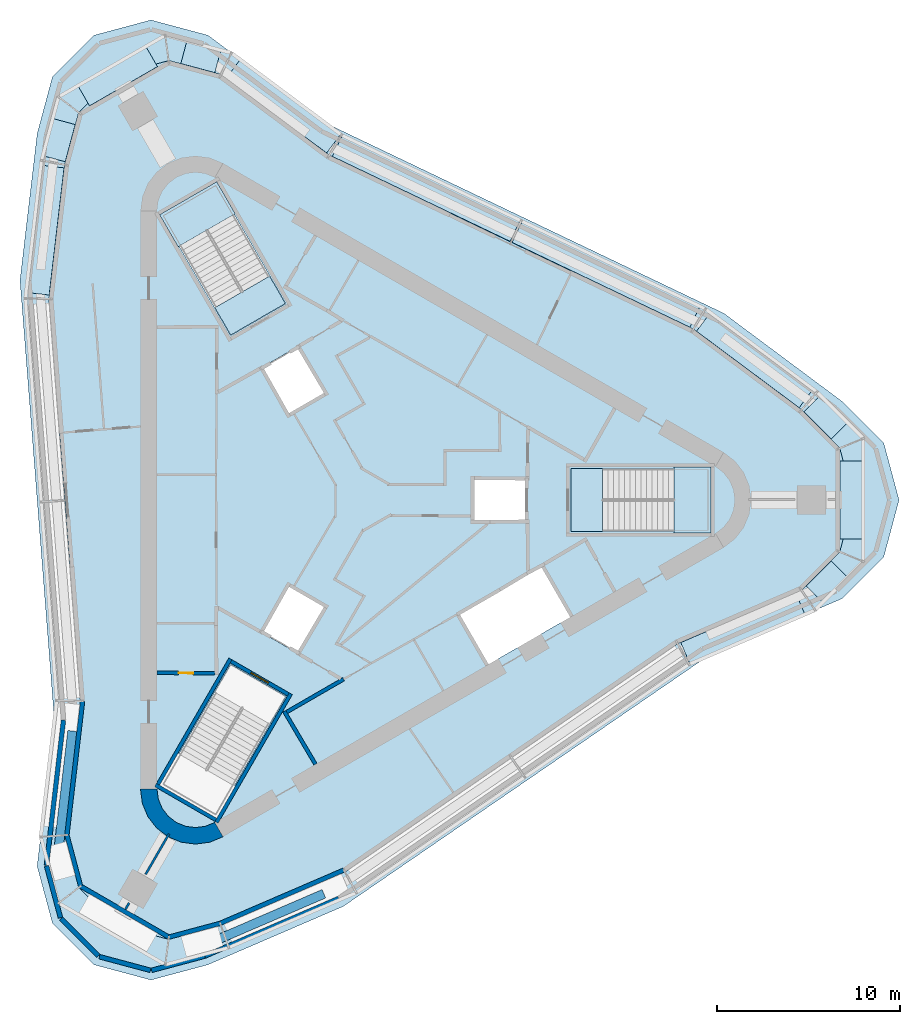
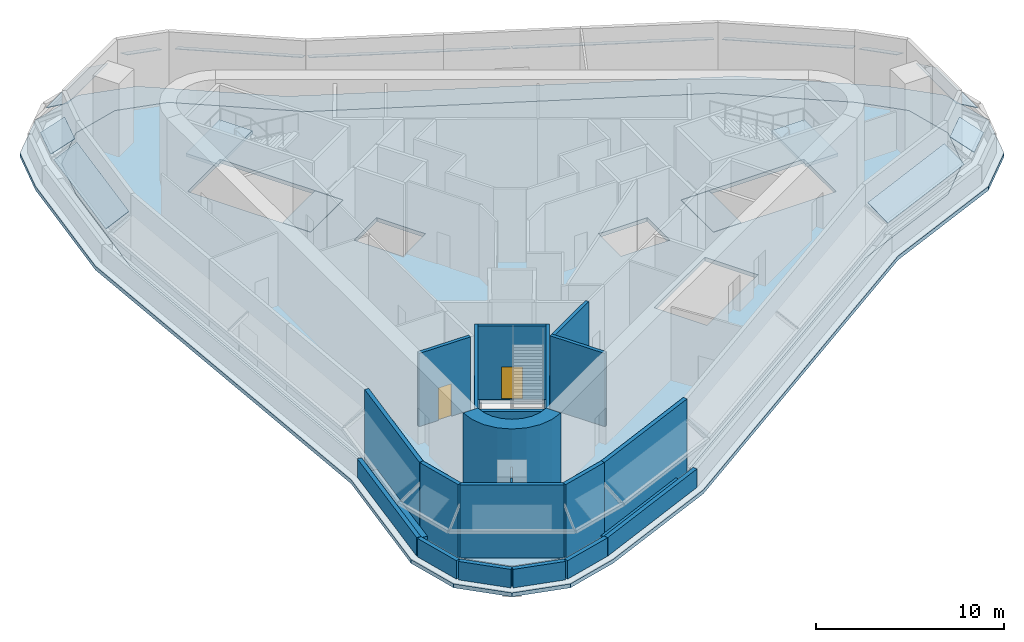
# One storey, part 2 of 7: 23 walls, 12 plates, 6 slabs, 2 doors, 2 openings, 3 elements without a shape of their own.
"""IFC4 building model written with IfcOpenShell, lengths in metres."""

from ifc_helpers import new_model, si_unit, direction, frame, frame_2d, origin, place, context, subcontext, project, spatial, polyline, rectangle, outline, extrude, material, layer, layer_set, type_object, element, fill, aggregate, save


model = new_model("IFC4")

# Units and contexts
model_context = context("Model", 3, precision=1e-05, world=origin(), true_north=direction((0.0, 1.0)))
body_context = subcontext(model_context, "Body", "Model", "MODEL_VIEW")
ifc_project = project(units=[si_unit("LENGTHUNIT", "METRE"), si_unit("AREAUNIT", "SQUARE_METRE"), si_unit("VOLUMEUNIT", "CUBIC_METRE"), si_unit("PLANEANGLEUNIT", "RADIAN"), si_unit("MASSUNIT", "GRAM", prefix="KILO")], contexts=[model_context])

# Site, building, storey
site_placement = place(None, origin())
site = spatial("IfcSite", under=ifc_project, at=site_placement, CompositionType="ELEMENT")
building_placement = place(site_placement, origin())
building = spatial("IfcBuilding", under=site, at=building_placement, Name="Tanit Gate Tower", CompositionType="ELEMENT")
storey_placement = place(building_placement, frame((0.0, 0.0, 420.300048828125)))
storey = spatial("IfcBuildingStorey", under=building, at=storey_placement, Name="L95", CompositionType="ELEMENT", Elevation=420.300048828125)

# Slab
ifc_material_1 = material(Name="Concrete C35/45", Category="concrete")
ifc_layer_1 = layer(ifc_material_1, 0.25)
ifc_layer_set_1 = layer_set([ifc_layer_1], Name="CROWN FLOOR SLAB 250 C35/45")
slab_type_1 = type_object("IfcSlabType", Name="CROWN FLOOR SLAB 250 C35/45", PredefinedType="FLOOR", material=ifc_layer_set_1)
slab_1_placement = place(storey_placement, frame((0.0, 0.0, -0.25)))
element("IfcSlab", 1, at=slab_1_placement, inside=storey, type_object=slab_type_1, Name="FLOOR SLAB L95", PredefinedType="FLOOR", context=body_context, shape_type="SweptSolid", body=[
    extrude(outline(polyline([(23.945068359375, 4.920654296875), (26.02490234375, 2.8408203125), (26.7861328125, 0.0), (26.02490234375, -2.8408203125), (23.945068359375, -4.920654296875), (17.185791015625, -7.83447265625), (-0.951904296875, -20.283447265625), (-7.711181640625, -23.197509765625), (-10.552001953125, -23.95849609375), (-13.39306640625, -23.197509765625), (-15.47265625, -21.11767578125), (-16.23388671875, -18.276611328125), (-15.377685546875, -10.966064453125), (-17.090087890625, 10.966064453125), (-16.23388671875, 18.276611328125), (-15.47265625, 21.11767578125), (-13.39306640625, 23.197509765625), (-10.552001953125, 23.95849609375), (-7.711181640625, 23.197509765625), (-1.80810546875, 18.800537109375), (18.0419921875, 9.3173828125), (23.945068359375, 4.920654296875)]), holes=[polyline([(11.3701171875, -1.72998046875), (11.3701171875, 1.72998046875), (18.929931640625, 1.72998046875), (18.929931640625, -1.72998046875), (11.3701171875, -1.72998046875)]), polyline([(9.82080078125, -3.510009765625), (11.44580078125, -6.324462890625), (6.76904296875, -9.0244140625), (5.14404296875, -6.2099609375), (9.82080078125, -3.510009765625)]), polyline([(6.0, -1.199951171875), (6.0, 1.199951171875), (9.0, 1.199951171875), (9.0, -1.199951171875), (6.0, -1.199951171875)]), polyline([(-1.960693359375, 5.796142578125), (-4.039306640625, 4.59619140625), (-5.539306640625, 7.194091796875), (-3.460693359375, 8.394287109375), (-1.960693359375, 5.796142578125)]), polyline([(-4.039306640625, -4.59619140625), (-1.960693359375, -5.796142578125), (-3.460693359375, -8.394287109375), (-5.539306640625, -7.194091796875), (-4.039306640625, -4.59619140625)]), polyline([(-4.186767578125, 10.711669921875), (-7.18310546875, 8.981689453125), (-10.963134765625, 15.52880859375), (-7.966796875, 17.2587890625), (-4.186767578125, 10.711669921875)]), polyline([(-7.18310546875, -8.981689453125), (-4.186767578125, -10.711669921875), (-7.966796875, -17.2587890625), (-10.963134765625, -15.52880859375), (-7.18310546875, -8.981689453125)])]), origin(), (0.0, 0.0, 1.0), 0.25),
])

# Curtain wall, plates
ifc_material_2 = material(Name="Aluminium bronze anodised and glass", Category="aluminium")
curtain_wall_type = type_object("IfcCurtainWallType", Name="Curtain wall crown roof", PredefinedType="NOTDEFINED", material=ifc_material_2)
curtain_wall_placement = place(storey_placement, origin())
curtain_wall = element("IfcCurtainWall", 2, at=curtain_wall_placement, inside=storey, type_object=curtain_wall_type, Name="Glass roof L95", PredefinedType="NOTDEFINED")
ifc_material_3 = material(Name="Glass tinted laminated safety", Category="glass")
ifc_layer_2 = layer(ifc_material_3, 0.033935546875)
ifc_layer_set_2 = layer_set([ifc_layer_2], Name="Glass panel 34 crown roof")
plate_type = type_object("IfcPlateType", Name="Glass panel 34 crown roof", PredefinedType="CURTAIN_PANEL", material=ifc_layer_set_2)
plate_1_placement = place(storey_placement, frame((23.8154296875, 5.0322265625, 3.498291015625), z_axis=(0.298673768517, 0.401003017449, 0.866019953579), x_axis=(-0.801986214449, 0.597342541439, -4.522528e-06)))
plate_1 = element("IfcPlate", 3, at=plate_1_placement, type_object=plate_type, Name="Roof glass panel L95 NE1.1", PredefinedType="CURTAIN_PANEL", context=body_context, shape_type="SweptSolid", body=[
    extrude(outline(polyline([(0.0, 0.0), (6.9815813317972655, 0.0), (6.981729131685369, -1.547270918977989), (-4.7997527533563e-05, -1.5473972159441884), (0.0, 0.0)])), origin(), (0.0, 0.0, -1.0), 0.033935546875),
])
plate_2_placement = place(storey_placement, frame((17.859130859375, 9.418212890625, 3.498291015625), z_axis=(0.215554648589, 0.451201063242, 0.865998726328), x_axis=(-0.902318745258, 0.431069463028, 0.0)))
plate_2 = element("IfcPlate", 4, at=plate_2_placement, type_object=plate_type, Name="Roof glass panel L95 NE2.1", PredefinedType="CURTAIN_PANEL", context=body_context, shape_type="SweptSolid", body=[
    extrude(outline(polyline([(0.0, 0.0), (10.742721932728493, 4.440892098500626e-16), (10.742665738791231, -1.5472203061377008), (-5.619393725964095e-05, -1.5472203061377008), (0.0, 0.0)])), origin(), (0.0, 0.0, -1.0), 0.033935546875),
])
plate_3_placement = place(storey_placement, frame((8.057373046875, 14.100830078125, 3.498291015625), z_axis=(0.215545986164, 0.451171038019, 0.86601652542), x_axis=(-0.902317640233, 0.431071776047, 4.439797e-06)))
plate_3 = element("IfcPlate", 5, at=plate_3_placement, type_object=plate_type, Name="Roof glass panel L95 NE2.2", PredefinedType="CURTAIN_PANEL", context=body_context, shape_type="SweptSolid", body=[
    extrude(outline(polyline([(0.0, 0.0), (10.742721932587317, 0.0), (10.74277098050053, -1.5474110822435612), (-5.619421961060243e-05, -1.5472203051574778), (0.0, 0.0)])), origin(), (0.0, 0.0, -1.0), 0.033935546875),
])
plate_4_placement = place(storey_placement, frame((-1.948974609375, 18.920654296875, 3.498291015625), z_axis=(0.298685417676, 0.401019785535, 0.866008171369), x_axis=(-0.80199169821, 0.597335178942, 0.0)))
plate_4 = element("IfcPlate", 6, at=plate_4_placement, type_object=plate_type, Name="Roof glass panel L95 NE3.1", PredefinedType="CURTAIN_PANEL", context=body_context, shape_type="SweptSolid", body=[
    extrude(outline(polyline([(0.0, 0.0), (6.824744799841666, -8.881784197001252e-16), (6.824876799590749, -1.5472709208361468), (0.00013199974908302992, -1.547270920836146), (0.0, 0.0)])), origin(), (0.0, 0.0, -1.0), 0.033935546875),
])
plate_5_placement = place(storey_placement, frame((-8.047119140625, 23.2998046875, 3.498291015625), z_axis=(0.12941560783, 0.482977648301, 0.866016276805), x_axis=(-0.96591282426, 0.258867563093, -2.6617955e-05)))
plate_5 = element("IfcPlate", 7, at=plate_5_placement, type_object=plate_type, Name="Roof glass panel L95 NW.arc1.1", PredefinedType="CURTAIN_PANEL", context=body_context, shape_type="SweptSolid", body=[
    extrude(outline(polyline([(0.0, 0.0), (1.9181760367772702, -1.1102230246251565e-16), (1.9181221258844494, -1.5472122536222181), (9.289195825011509e-06, -1.547416475493069), (0.0, 0.0)])), origin(), (0.0, 0.0, -1.0), 0.033935546875),
])
plate_6_placement = place(storey_placement, frame((-11.17236328125, 23.628662109375, 3.498291015625), z_axis=(-0.249984054927, 0.432985166247, 0.866043773773), x_axis=(-0.866020093963, -0.50000919673, 6.178018e-06)))
plate_6 = element("IfcPlate", 8, at=plate_6_placement, type_object=plate_type, Name="Roof glass panel L95 NW.arc2.1", PredefinedType="CURTAIN_PANEL", context=body_context, shape_type="SweptSolid", body=[
    extrude(outline(polyline([(0.0, 0.0), (4.277726923423417, -2.220446049250313e-16), (4.277766439668098, -1.5475146186600872), (-0.00017191444232125073, -1.5474088978283862), (0.0, 0.0)])), origin(), (0.0, 0.0, -1.0), 0.033935546875),
])
plate_7_placement = place(storey_placement, frame((-15.658203125, 20.4716796875, 3.498291015625), z_axis=(-0.482949734554, 0.129426457017, 0.866030222404), x_axis=(-0.258846327046, -0.965918515679, 6.519766e-06)))
plate_7 = element("IfcPlate", 9, at=plate_7_placement, type_object=plate_type, Name="Roof glass panel L95 NW.arc3.1", PredefinedType="CURTAIN_PANEL", context=body_context, shape_type="SweptSolid", body=[
    extrude(outline(polyline([(0.0, 0.0), (2.0986217073641056, 0.0), (2.098575895371371, -1.5474164758853015), (0.00019000795738250879, -1.5473617479572104), (0.0, 0.0)])), origin(), (0.0, 0.0, -1.0), 0.033935546875),
])
plate_8_placement = place(storey_placement, frame((-16.265625, 18.108642578125, 3.498291015625), z_axis=(-0.496608880216, 0.058161794178, 0.866023571151), x_axis=(-0.116335785565, -0.993209940013, -7.519532e-06)))
plate_8 = element("IfcPlate", 10, at=plate_8_placement, type_object=plate_type, Name="Roof glass panel L95 W1.1", PredefinedType="CURTAIN_PANEL", context=body_context, shape_type="SweptSolid", body=[
    extrude(outline(polyline([(0.0, 0.0), (6.981736104678026, -1.1102230246251565e-16), (6.98161624257995, -1.5472484618933728), (-9.145980667773045e-05, -1.5474584576897112), (0.0, 0.0)])), origin(), (0.0, 0.0, -1.0), 0.033935546875),
])
plate_9_placement = place(storey_placement, frame((17.3603515625, -7.7724609375, 3.498291015625), z_axis=(0.197940317568, -0.459144982784, 0.866028588134), x_axis=(0.918295218336, 0.395896314622, 7.112262e-06)))
plate_9 = element("IfcPlate", 11, at=plate_9_placement, type_object=plate_type, Name="Roof glass panel L95 SE3.1", PredefinedType="CURTAIN_PANEL", context=body_context, shape_type="SweptSolid", body=[
    extrude(outline(polyline([(0.0, 0.0), (6.824712589989751, 0.0), (6.824644144842271, -1.5474774289353097), (2.820922620706106e-05, -1.5472832715857927), (0.0, 0.0)])), origin(), (0.0, 0.0, -1.0), 0.033935546875),
])
plate_10_placement = place(storey_placement, frame((24.201904296875, -4.680908203125, 3.498291015625), z_axis=(0.353568182233, -0.353568182233, 0.866013326125), x_axis=(0.707106781187, 0.707106781187, 0.0)))
plate_10 = element("IfcPlate", 12, at=plate_10_placement, type_object=plate_type, Name="Roof glass panel L95 E.arc1.1", PredefinedType="CURTAIN_PANEL", context=body_context, shape_type="SweptSolid", body=[
    extrude(outline(polyline([(0.0, 0.0), (1.91795809057191, 0.0), (1.91795809057191, -1.547298546806555), (0.0, -1.5472985468065552), (0.0, 0.0)])), origin(), (0.0, 0.0, -1.0), 0.033935546875),
])
plate_11_placement = place(storey_placement, frame((26.04931640625, -2.138916015625, 3.498291015625), z_axis=(0.500059376657, 0.0, 0.865991119941), x_axis=(0.0, 1.0, 0.0)))
plate_11 = element("IfcPlate", 13, at=plate_11_placement, type_object=plate_type, Name="Roof glass panel L95 E.arc2.1", PredefinedType="CURTAIN_PANEL", context=body_context, shape_type="SweptSolid", body=[
    extrude(outline(polyline([(0.0, 0.0), (4.27783203125, 0.0), (4.27783203125, -1.5471795485509283), (0.0, -1.5471795485509283), (0.0, 0.0)])), origin(), (0.0, 0.0, -1.0), 0.033935546875),
])
plate_12_placement = place(storey_placement, frame((25.55810546875, 3.32470703125, 3.498291015625), z_axis=(0.353568182233, 0.353568182233, 0.866013326125), x_axis=(-0.707106781187, 0.707106781187, 0.0)))
plate_12 = element("IfcPlate", 14, at=plate_12_placement, type_object=plate_type, Name="Roof glass panel L95 E.arc3.1", PredefinedType="CURTAIN_PANEL", context=body_context, shape_type="SweptSolid", body=[
    extrude(outline(polyline([(0.0, 0.0), (2.0985327226815604, 0.0), (2.0985327226815604, -1.547298546806555), (0.0, -1.5472985468065552), (0.0, 0.0)])), origin(), (0.0, 0.0, -1.0), 0.033935546875),
])
aggregate(curtain_wall, [plate_1, plate_2, plate_3, plate_4, plate_5, plate_6, plate_7, plate_8, plate_9, plate_10, plate_11, plate_12])

# Stair, slab
ifc_material_4 = material(Name="Concrete C40/50", Category="concrete")
stair_type = type_object("IfcStairType", Name="INT-STAIR-EXIT", PredefinedType="HALF_TURN_STAIR", material=ifc_material_4)
stair_1_placement = place(storey_placement, origin())
stair_1 = element("IfcStair", 15, at=stair_1_placement, inside=storey, type_object=stair_type, Name="L95 STAIR S1", PredefinedType="HALF_TURN_STAIR")
ifc_material_5 = material(Name="Concrete C40/50", Category="concrete")
ifc_layer_3 = layer(ifc_material_5, 0.199951171875)
ifc_layer_set_3 = layer_set([ifc_layer_3], Name="INT-STAIR-LANDING")
slab_type_2 = type_object("IfcSlabType", Name="INT-STAIR-LANDING", PredefinedType="LANDING", material=ifc_layer_set_3)
slab_2_placement = place(storey_placement, frame((0.0, 0.0, 2.300048828125)))
slab_2 = element("IfcSlab", 16, at=slab_2_placement, type_object=slab_type_2, Name="S1 landing 1", PredefinedType="LANDING", context=body_context, shape_type="SweptSolid", body=[
    extrude(outline(polyline([(16.985107421875, -1.800048828125), (19.0, -1.800048828125), (19.0, 1.800048828125), (16.985107421875, 1.800048828125), (16.985107421875, -1.800048828125)])), origin(), (0.0, 0.0, 1.0), 0.199951171875),
])
aggregate(stair_1, [slab_2])

# Slab
slab_3_placement = place(storey_placement, frame((0.0, 0.0, -0.199951171875)))
element("IfcSlab", 17, at=slab_3_placement, inside=storey, type_object=slab_type_2, Name="S1 floor landing", PredefinedType="LANDING", context=body_context, shape_type="SweptSolid", body=[
    extrude(outline(polyline([(11.3798828125, -1.719970703125), (13.10498046875, -1.719970703125), (13.10498046875, 1.719970703125), (11.3798828125, 1.719970703125), (11.3798828125, -1.719970703125)])), origin(), (0.0, 0.0, 1.0), 0.199951171875),
])

# Stair, slab
stair_2_placement = place(storey_placement, origin())
stair_2 = element("IfcStair", 18, at=stair_2_placement, inside=storey, type_object=stair_type, Name="L95 STAIR S2", PredefinedType="HALF_TURN_STAIR")
slab_4_placement = place(storey_placement, frame((0.0, 0.0, 2.300048828125)))
slab_4 = element("IfcSlab", 19, at=slab_4_placement, type_object=slab_type_2, Name="S2 landing 1", PredefinedType="LANDING", context=body_context, shape_type="SweptSolid", body=[
    extrude(outline(polyline([(-6.93310546875, 15.608642578125), (-7.941162109375, 17.3544921875), (-11.058837890625, 15.554443359375), (-10.05078125, 13.80859375), (-6.93310546875, 15.608642578125)])), origin(), (0.0, 0.0, 1.0), 0.199951171875),
])
aggregate(stair_2, [slab_4])

# Slabs
slab_5_placement = place(storey_placement, frame((0.0, 0.0, -0.199951171875)))
element("IfcSlab", 20, at=slab_5_placement, inside=storey, type_object=slab_type_2, Name="S2 floor landing", PredefinedType="LANDING", context=body_context, shape_type="SweptSolid", body=[
    extrude(outline(polyline([(-4.200439453125, 10.71533203125), (-5.0625, 12.20849609375), (-8.04150390625, 10.48828125), (-7.179443359375, 8.995361328125), (-4.200439453125, 10.71533203125)])), origin(), (0.0, 0.0, 1.0), 0.199951171875),
])
ifc_material_6 = material(Name="Concrete C35/45", Category="concrete")
ifc_layer_4 = layer(ifc_material_6, 0.25)
ifc_layer_set_4 = layer_set([ifc_layer_4], Name="TERRACE SLAB 250 C35/45")
slab_type_3 = type_object("IfcSlabType", Name="TERRACE SLAB 250 C35/45", PredefinedType="FLOOR", material=ifc_layer_set_4)
slab_6_placement = place(storey_placement, frame((0.0, 0.0, -0.25)))
element("IfcSlab", 21, at=slab_6_placement, inside=storey, type_object=slab_type_3, Name="TERRACE SLAB L95", PredefinedType="FLOOR", context=body_context, shape_type="SweptSolid", body=[
    extrude(outline(polyline([(28.429443359375, 3.103515625), (29.260986328125, 0.0), (28.429443359375, -3.103515625), (26.15771484375, -5.375244140625), (18.773681640625, -8.558349609375), (-1.039794921875, -22.15771484375), (-8.423583984375, -25.3408203125), (-11.527099609375, -26.17236328125), (-14.630615234375, -25.3408203125), (-16.90234375, -23.06884765625), (-17.73388671875, -19.965576171875), (-16.798583984375, -11.979248046875), (-18.669189453125, 11.979248046875), (-17.73388671875, 19.965576171875), (-16.90234375, 23.06884765625), (-14.630615234375, 25.3408203125), (-11.527099609375, 26.17236328125), (-8.423583984375, 25.3408203125), (-1.97509765625, 20.53759765625), (19.708984375, 10.178466796875), (26.15771484375, 5.375244140625), (28.429443359375, 3.103515625)]), holes=[polyline([(18.0419921875, 9.3173828125), (-1.80810546875, 18.800537109375), (-7.711181640625, 23.197509765625), (-10.552001953125, 23.95849609375), (-13.39306640625, 23.197509765625), (-15.47265625, 21.11767578125), (-16.23388671875, 18.276611328125), (-17.090087890625, 10.966064453125), (-15.377685546875, -10.966064453125), (-16.23388671875, -18.276611328125), (-15.47265625, -21.11767578125), (-13.39306640625, -23.197509765625), (-10.552001953125, -23.95849609375), (-7.711181640625, -23.197509765625), (-0.951904296875, -20.283447265625), (17.185791015625, -7.83447265625), (23.945068359375, -4.920654296875), (26.02490234375, -2.8408203125), (26.7861328125, 0.0), (26.02490234375, 2.8408203125), (23.945068359375, 4.920654296875), (18.0419921875, 9.3173828125)])]), origin(), (0.0, 0.0, 1.0), 0.25),
])

# Walls
ifc_material_7 = material(Name="Concrete C40/50", Category="concrete")
ifc_layer_5 = layer(ifc_material_7, 0.89990234375)
ifc_layer_set_5 = layer_set([ifc_layer_5], Name="CORE WALL 900 C40/50")
wall_type_1 = type_object("IfcWallType", Name="CORE WALL 900 C40/50", PredefinedType="SHEAR", material=ifc_layer_set_5)
wall_1_placement = place(storey_placement, origin())
element("IfcWall", 22, at=wall_1_placement, inside=storey, type_object=wall_type_1, Name="CORE WALL CORNER", PredefinedType="SHEAR", context=body_context, shape_type="SweptSolid", body=[
    extrude(outline(polyline([(-12.10009765625, -15.76171875), (-11.997802734375, -16.5380859375), (-11.697998046875, -17.26171875), (-11.22119140625, -17.883056640625), (-10.60009765625, -18.359619140625), (-9.87646484375, -18.659423828125), (-9.10009765625, -18.76171875), (-8.323486328125, -18.659423828125), (-7.60009765625, -18.359619140625), (-8.050048828125, -17.580322265625), (-8.556396484375, -17.7900390625), (-9.10009765625, -17.86181640625), (-9.6435546875, -17.7900390625), (-10.14990234375, -17.580322265625), (-10.5849609375, -17.24658203125), (-10.918701171875, -16.811767578125), (-11.12841796875, -16.30517578125), (-11.199951171875, -15.76171875), (-12.10009765625, -15.76171875)])), origin(), (0.0, 0.0, 1.0), 5.0),
])
ifc_material_8 = material(Name="Concrete C30/37 with bronze anodised aluminium cladding", Category="concrete")
ifc_layer_6 = layer(ifc_material_8, 0.239990234375)
ifc_layer_set_6 = layer_set([ifc_layer_6], Name="Facade wall bronze clad 240")
wall_type_2 = type_object("IfcWallType", Name="Facade wall bronze clad 240", PredefinedType="SOLIDWALL", material=ifc_layer_set_6)
wall_2_placement = place(storey_placement, frame((-15.25732421875, -10.96826171875, 0.0), z_axis=(0.0, 0.0, 1.0), x_axis=(-0.116299636167, -0.993214173594, 0.0)))
element("IfcWall", 23, at=wall_2_placement, inside=storey, type_object=wall_type_2, Name="Bronze-clad facade wall L95 W3", PredefinedType="SOLIDWALL", context=body_context, shape_type="SweptSolid", body=[
    extrude(rectangle(XDim=7.349365234375, YDim=0.239990234375, at=frame_2d((3.6748046875, 0.0))), origin(), (0.0, 0.0, 1.0), 4.75),
])
wall_3_placement = place(storey_placement, frame((-16.112060546875, -18.267822265625, 0.0), z_axis=(0.0, 0.0, 1.0), x_axis=(0.258762864201, -0.965940878165, 0.0)))
element("IfcWall", 24, at=wall_3_placement, inside=storey, type_object=wall_type_2, Name="Bronze-clad facade wall L95 SW.arc1", PredefinedType="SOLIDWALL", context=body_context, shape_type="SweptSolid", body=[
    extrude(rectangle(XDim=2.88623046875, YDim=0.239990234375, at=frame_2d((1.443115234375, 0.0))), origin(), (0.0, 0.0, 1.0), 4.75),
])
wall_4_placement = place(storey_placement, frame((-15.365234375, -21.0556640625, 0.0), z_axis=(0.0, 0.0, 1.0), x_axis=(0.866034164019, -0.499984826521, 0.0)))
element("IfcWall", 25, at=wall_4_placement, inside=storey, type_object=wall_type_2, Name="Bronze-clad facade wall L95 SW.arc2", PredefinedType="SOLIDWALL", context=body_context, shape_type="SweptSolid", body=[
    extrude(rectangle(XDim=5.557861328125, YDim=0.239990234375, at=frame_2d((2.77880859375, 0.0))), origin(), (0.0, 0.0, 1.0), 4.75),
])
wall_5_placement = place(storey_placement, frame((-10.552001953125, -23.83447265625, 0.0), z_axis=(0.0, 0.0, 1.0), x_axis=(0.965914229844, 0.258862319746, 0.0)))
element("IfcWall", 26, at=wall_5_placement, inside=storey, type_object=wall_type_2, Name="Bronze-clad facade wall L95 SW.arc3", PredefinedType="SOLIDWALL", context=body_context, shape_type="SweptSolid", body=[
    extrude(rectangle(XDim=2.900146484375, YDim=0.239990234375, at=frame_2d((1.4501953125, 0.0))), origin(), (0.0, 0.0, 1.0), 4.75),
])
wall_6_placement = place(storey_placement, frame((-7.750732421875, -23.083740234375, 0.0), z_axis=(0.0, 0.0, 1.0), x_axis=(0.918310328203, 0.395861264986, 0.0)))
element("IfcWall", 27, at=wall_6_placement, inside=storey, type_object=wall_type_2, Name="Bronze-clad facade wall L95 SE1", PredefinedType="SOLIDWALL", context=body_context, shape_type="SweptSolid", body=[
    extrude(rectangle(XDim=7.34033203125, YDim=0.239990234375, at=frame_2d((3.670166015625, 0.0))), origin(), (0.0, 0.0, 1.0), 4.75),
])

# Wall, opening, door
ifc_material_9 = material(Name="Fire-rated gypsum board partition")
ifc_layer_7 = layer(ifc_material_9, 0.199951171875)
ifc_layer_set_7 = layer_set([ifc_layer_7], Name="INT-WALL-COMPARTMENT")
wall_type_3 = type_object("IfcWallType", Name="INT-WALL-COMPARTMENT", PredefinedType="PARTITIONING", material=ifc_layer_set_7)
wall_7_placement = place(storey_placement, frame((-11.199951171875, -9.419921875, 0.0), z_axis=(0.0, 0.0, 1.0), x_axis=(0.999957467379, -0.009222983926, 0.0)))
wall_7 = element("IfcWall", 28, at=wall_7_placement, inside=storey, type_object=wall_type_3, Name="Wall Compartment W042", PredefinedType="PARTITIONING", context=body_context, shape_type="SweptSolid", body=[
    extrude(rectangle(XDim=3.150146484375, YDim=0.199951171875, at=frame_2d((1.5751953125, 0.0))), origin(), (0.0, 0.0, 1.0), 4.75),
])
opening_1_placement = place(wall_7_placement, frame((1.175048828125, 0.0, 0.0)))
opening_1 = element("IfcOpeningElement", 29, at=opening_1_placement, cuts=wall_7, Name="Opening R08-95-16", PredefinedType="OPENING", context=body_context, shape_type="SweptSolid", body=[
    extrude(rectangle(XDim=0.800048828125, YDim=2.10009765625, at=frame_2d((0.39990234375, 1.050048828125))), frame((0.0, 0.10986328125, 0.0), z_axis=(0.0, -1.0, 0.0), x_axis=(1.0, 0.0, 0.0)), (0.0, 0.0, 1.0), 0.219970703125),
])
ifc_material_10 = material(Name="Timber door leaf", Category="wood")
door_type_1 = type_object("IfcDoorType", Name="INT-DOOR-RISER-800", OperationType="NOTDEFINED", PredefinedType="USERDEFINED", material=ifc_material_10)
door_1_placement = place(opening_1_placement, origin())
door_1 = element("IfcDoor", 30, at=door_1_placement, inside=storey, type_object=door_type_1, Name="Door R08-95-16", ObjectType="FIRE DOOR", OperationType="SINGLE_SWING_LEFT", OverallHeight=2.10009765625, OverallWidth=0.800048828125, PredefinedType="USERDEFINED", context=body_context, shape_type="SweptSolid", body=[
    extrude(rectangle(XDim=0.800048828125, YDim=2.10009765625, at=frame_2d((0.39990234375, 1.050048828125))), frame((0.0, 0.02490234375, 0.0), z_axis=(0.0, -1.0, 0.0), x_axis=(1.0, 0.0, 0.0)), (0.0, 0.0, 1.0), 0.050048828125),
])
fill(opening_1, door_1)

# Walls
wall_8_placement = place(storey_placement, frame((-4.259765625, -11.523681640625, 0.0), z_axis=(0.0, 0.0, 1.0), x_axis=(0.507997497166, -0.861358544901, 0.0)))
element("IfcWall", 31, at=wall_8_placement, inside=storey, type_object=wall_type_3, Name="Wall Compartment W055", PredefinedType="PARTITIONING", context=body_context, shape_type="SweptSolid", body=[
    extrude(rectangle(XDim=3.350341796875, YDim=0.199951171875, at=frame_2d((1.67529296875, 0.0))), origin(), (0.0, 0.0, 1.0), 4.75),
])
wall_9_placement = place(storey_placement, frame((-1.02392578125, -9.77099609375, 0.0), z_axis=(0.0, 0.0, 1.0), x_axis=(-0.866029903013, -0.499992207027, 0.0)))
element("IfcWall", 32, at=wall_9_placement, inside=storey, type_object=wall_type_3, Name="Wall Compartment W056", PredefinedType="PARTITIONING", context=body_context, shape_type="SweptSolid", body=[
    extrude(rectangle(XDim=3.57763671875, YDim=0.199951171875, at=frame_2d((1.788818359375, 0.0))), origin(), (0.0, 0.0, 1.0), 4.75),
])
ifc_material_11 = material(Name="Gypsum board partition")
ifc_layer_8 = layer(ifc_material_11, 0.1201171875)
ifc_layer_set_8 = layer_set([ifc_layer_8], Name="INT-WALL-PARTITION")
wall_type_4 = type_object("IfcWallType", Name="INT-WALL-PARTITION", PredefinedType="PARTITIONING", material=ifc_layer_set_8)
wall_10_placement = place(storey_placement, frame((-12.924560546875, -22.326171875, 0.0), z_axis=(0.0, 0.0, 1.0), x_axis=(0.499842362059, 0.866116396965, 0.0)))
element("IfcWall", 33, at=wall_10_placement, inside=storey, type_object=wall_type_4, Name="Wall Partition W091x1", PredefinedType="PARTITIONING", context=body_context, shape_type="SweptSolid", body=[
    extrude(rectangle(XDim=0.411376953125, YDim=0.1201171875, at=frame_2d((0.20556640625, 0.0))), origin(), (0.0, 0.0, 1.0), 4.75),
])
wall_11_placement = place(storey_placement, frame((-11.819091796875, -20.4111328125, 0.0), z_axis=(0.0, 0.0, 1.0), x_axis=(0.500046963369, 0.865998287773, 0.0)))
element("IfcWall", 34, at=wall_11_placement, inside=storey, type_object=wall_type_4, Name="Wall Partition W092", PredefinedType="PARTITIONING", context=body_context, shape_type="SweptSolid", body=[
    extrude(rectangle(XDim=2.539794921875, YDim=0.1201171875, at=frame_2d((1.27001953125, 0.0))), origin(), (0.0, 0.0, 1.0), 2.52001953125),
])
ifc_material_12 = material(Name="Concrete C40/50", Category="concrete")
ifc_layer_9 = layer(ifc_material_12, 0.199951171875)
ifc_layer_set_9 = layer_set([ifc_layer_9], Name="INT-WALL-STAIR")
wall_type_5 = type_object("IfcWallType", Name="INT-WALL-STAIR", PredefinedType="SHEAR", material=ifc_layer_set_9)
wall_12_placement = place(storey_placement, frame((-3.904541015625, -10.56298828125, -0.25), z_axis=(0.0, 0.0, 1.0), x_axis=(-0.500012932018, -0.866017937352, 0.0)))
element("IfcWall", 35, at=wall_12_placement, inside=storey, type_object=wall_type_5, Name="Wall Stair W025", PredefinedType="SHEAR", context=body_context, shape_type="SweptSolid", body=[
    extrude(rectangle(XDim=8.099853515625, YDim=0.199951171875, at=frame_2d((4.0498046875, 0.0))), origin(), (0.0, 0.0, 1.0), 5.0),
])
wall_13_placement = place(storey_placement, frame((-11.281982421875, -15.541015625, -0.25), z_axis=(0.0, 0.0, 1.0), x_axis=(0.866000483506, -0.500043160704, 0.0)))
element("IfcWall", 36, at=wall_13_placement, inside=storey, type_object=wall_type_5, Name="Wall Stair W026", PredefinedType="SHEAR", context=body_context, shape_type="SweptSolid", body=[
    extrude(rectangle(XDim=3.800048828125, YDim=0.199951171875, at=frame_2d((1.89990234375, 0.0))), origin(), (0.0, 0.0, 1.0), 5.0),
])
wall_14_placement = place(storey_placement, frame((-7.195556640625, -8.662841796875, -0.25), z_axis=(0.0, 0.0, 1.0), x_axis=(-0.499997992926, -0.866026562566, 0.0)))
element("IfcWall", 37, at=wall_14_placement, inside=storey, type_object=wall_type_5, Name="Wall Stair W027", PredefinedType="SHEAR", context=body_context, shape_type="SweptSolid", body=[
    extrude(rectangle(XDim=7.89990234375, YDim=0.199951171875, at=frame_2d((3.949951171875, 0.0))), origin(), (0.0, 0.0, 1.0), 5.0),
])

# Wall, opening, door
wall_15_placement = place(storey_placement, frame((-4.041259765625, -10.599365234375, -0.25), z_axis=(0.0, 0.0, 1.0), x_axis=(-0.866047807691, 0.499961193289, 0.0)))
wall_15 = element("IfcWall", 38, at=wall_15_placement, inside=storey, type_object=wall_type_5, Name="Wall Stair W028", PredefinedType="SHEAR", context=body_context, shape_type="SweptSolid", body=[
    extrude(rectangle(XDim=3.599853515625, YDim=0.199951171875, at=frame_2d((1.7998046875, 0.0))), origin(), (0.0, 0.0, 1.0), 5.0),
])
opening_2_placement = place(wall_15_placement, frame((1.25, 0.0, 0.25)))
opening_2 = element("IfcOpeningElement", 39, at=opening_2_placement, cuts=wall_15, Name="Opening S11-95-07", PredefinedType="OPENING", context=body_context, shape_type="SweptSolid", body=[
    extrude(rectangle(XDim=1.10009765625, YDim=2.10009765625, at=frame_2d((0.550048828125, 1.050048828125))), frame((0.0, 0.10986328125, 0.0), z_axis=(0.0, -1.0, 0.0), x_axis=(1.0, 0.0, 0.0)), (0.0, 0.0, 1.0), 0.219970703125),
])
ifc_material_13 = material(Name="Timber door leaf", Category="wood")
door_type_2 = type_object("IfcDoorType", Name="INT-DOOR-STAIR-1100", OperationType="NOTDEFINED", PredefinedType="USERDEFINED", material=ifc_material_13)
door_2_placement = place(opening_2_placement, origin())
door_2 = element("IfcDoor", 40, at=door_2_placement, inside=storey, type_object=door_type_2, Name="Door S11-95-07", ObjectType="FIRE DOOR", OperationType="SINGLE_SWING_RIGHT", OverallHeight=2.10009765625, OverallWidth=1.10009765625, PredefinedType="USERDEFINED", context=body_context, shape_type="SweptSolid", body=[
    extrude(rectangle(XDim=1.10009765625, YDim=2.10009765625, at=frame_2d((0.550048828125, 1.050048828125))), frame((0.0, 0.02490234375, 0.0), z_axis=(0.0, -1.0, 0.0), x_axis=(1.0, 0.0, 0.0)), (0.0, 0.0, 1.0), 0.050048828125),
])
fill(opening_2, door_2)

# Walls
ifc_material_14 = material(Name="Concrete C30/37", Category="concrete")
ifc_layer_10 = layer(ifc_material_14, 0.25)
ifc_layer_set_10 = layer_set([ifc_layer_10], Name="Parapet wall 250")
wall_type_6 = type_object("IfcWallType", Name="Parapet wall 250", PredefinedType="PARAPET", material=ifc_layer_set_10)
wall_16_placement = place(storey_placement, frame((-1.293701171875, -21.72265625, 0.0400390625), z_axis=(0.0, 0.0, 1.0), x_axis=(-0.918299400713, -0.395886613375, 0.0)))
element("IfcWall", 41, at=wall_16_placement, inside=storey, type_object=wall_type_6, Name="Terrace parapet L95 7", PredefinedType="PARAPET", context=body_context, shape_type="SweptSolid", body=[
    extrude(rectangle(XDim=7.934326171875, YDim=0.25, at=frame_2d((3.96728515625, 0.0))), origin(), (0.0, 0.0, 1.0), 1.199951171875),
])
wall_17_placement = place(storey_placement, frame((-8.596923828125, -24.86962890625, 0.0400390625), z_axis=(0.0, 0.0, 1.0), x_axis=(-0.96593170523, -0.2587971036, 0.0)))
element("IfcWall", 42, at=wall_17_placement, inside=storey, type_object=wall_type_6, Name="Terrace parapet L95 8", PredefinedType="PARAPET", context=body_context, shape_type="SweptSolid", body=[
    extrude(rectangle(XDim=3.0, YDim=0.25, at=frame_2d((1.5, 0.0))), origin(), (0.0, 0.0, 1.0), 1.199951171875),
])
wall_18_placement = place(storey_placement, frame((-11.559326171875, -25.64599609375, 0.0400390625), z_axis=(0.0, 0.0, 1.0), x_axis=(-0.965928741196, 0.258808166276, 0.0)))
element("IfcWall", 43, at=wall_18_placement, inside=storey, type_object=wall_type_6, Name="Terrace parapet L95 9", PredefinedType="PARAPET", context=body_context, shape_type="SweptSolid", body=[
    extrude(rectangle(XDim=2.878173828125, YDim=0.25, at=frame_2d((1.43896484375, 0.0))), origin(), (0.0, 0.0, 1.0), 1.199951171875),
])
wall_19_placement = place(storey_placement, frame((-14.3955078125, -24.868896484375, 0.0400390625), z_axis=(0.0, 0.0, 1.0), x_axis=(-0.707064364536, 0.707149195293, 0.0)))
element("IfcWall", 44, at=wall_19_placement, inside=storey, type_object=wall_type_6, Name="Terrace parapet L95 10", PredefinedType="PARAPET", context=body_context, shape_type="SweptSolid", body=[
    extrude(rectangle(XDim=2.8779296875, YDim=0.25, at=frame_2d((1.43896484375, 0.0))), origin(), (0.0, 0.0, 1.0), 1.199951171875),
])
wall_20_placement = place(storey_placement, frame((-16.462890625, -22.77783203125, 0.0400390625), z_axis=(0.0, 0.0, 1.0), x_axis=(-0.258758330138, 0.96594209277, 0.0)))
element("IfcWall", 45, at=wall_20_placement, inside=storey, type_object=wall_type_6, Name="Terrace parapet L95 11", PredefinedType="PARAPET", context=body_context, shape_type="SweptSolid", body=[
    extrude(rectangle(XDim=2.92578125, YDim=0.25, at=frame_2d((1.462890625, 0.0))), origin(), (0.0, 0.0, 1.0), 1.199951171875),
])
wall_21_placement = place(storey_placement, frame((-17.223388671875, -19.90478515625, 0.0400390625), z_axis=(0.0, 0.0, 1.0), x_axis=(0.116308985321, 0.993213078817, 0.0)))
element("IfcWall", 46, at=wall_21_placement, inside=storey, type_object=wall_type_6, Name="Terrace parapet L95 12", PredefinedType="PARAPET", context=body_context, shape_type="SweptSolid", body=[
    extrude(rectangle(XDim=7.95751953125, YDim=0.25, at=frame_2d((3.978759765625, 0.0))), origin(), (0.0, 0.0, 1.0), 1.199951171875),
])
ifc_material_15 = material(Name="Concrete C30/37", Category="concrete")
ifc_layer_11 = layer(ifc_material_15, 0.5)
ifc_layer_set_11 = layer_set([ifc_layer_11], Name="Planter box 600")
wall_type_7 = type_object("IfcWallType", Name="Planter box 600", PredefinedType="PARAPET", material=ifc_layer_set_11)
wall_22_placement = place(storey_placement, frame((-2.100341796875, -21.4716796875, 0.0400390625), z_axis=(0.0, 0.0, 1.0), x_axis=(-0.918314669648, -0.395851193644, 0.0)))
element("IfcWall", 47, at=wall_22_placement, inside=storey, type_object=wall_type_7, Name="PLANTER", PredefinedType="PARAPET", context=body_context, shape_type="SweptSolid", body=[
    extrude(rectangle(XDim=6.662109375, YDim=0.5, at=frame_2d((3.3310546875, 0.0))), origin(), (0.0, 0.0, 1.0), 0.599853515625),
])
wall_23_placement = place(storey_placement, frame((-16.597900390625, -19.2919921875, 0.0400390625), z_axis=(0.0, 0.0, 1.0), x_axis=(0.116311774825, 0.993212752152, 0.0)))
element("IfcWall", 48, at=wall_23_placement, inside=storey, type_object=wall_type_7, Name="PLANTER", PredefinedType="PARAPET", context=body_context, shape_type="SweptSolid", body=[
    extrude(rectangle(XDim=6.741943359375, YDim=0.5, at=frame_2d((3.37109375, 0.0))), origin(), (0.0, 0.0, 1.0), 0.599853515625),
])

save(model, "model.ifc")
